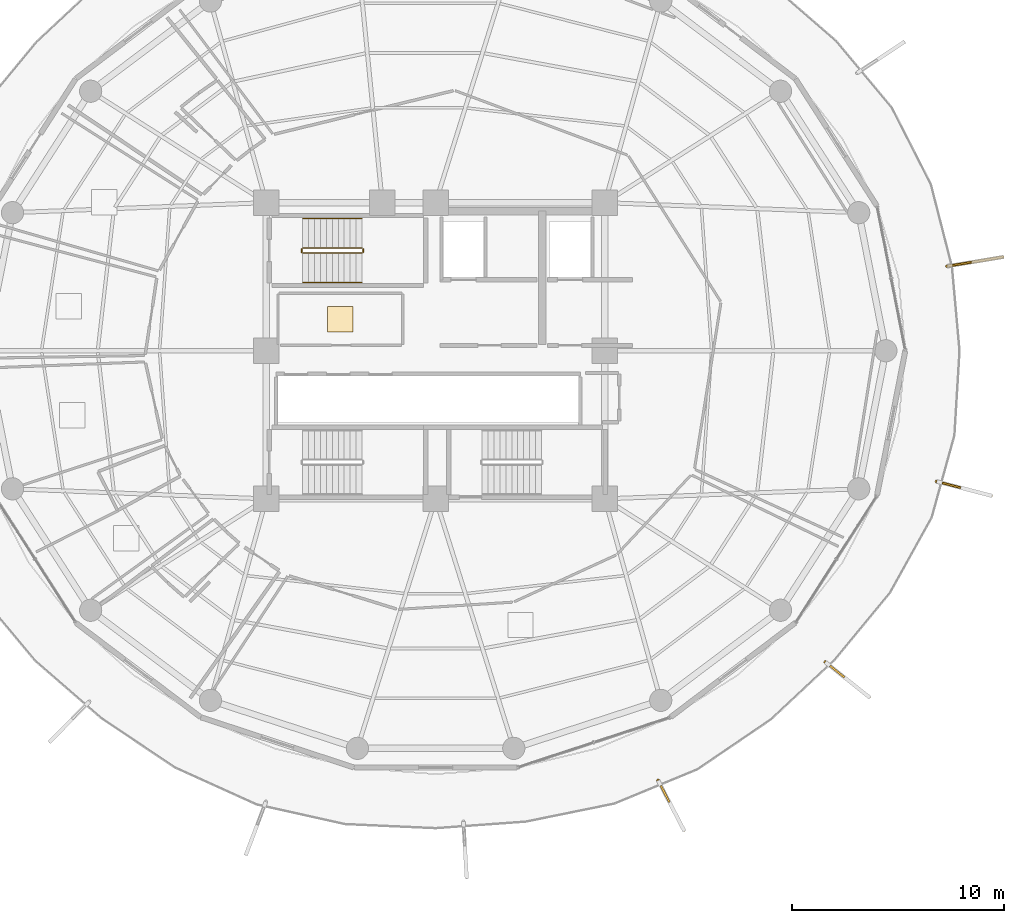
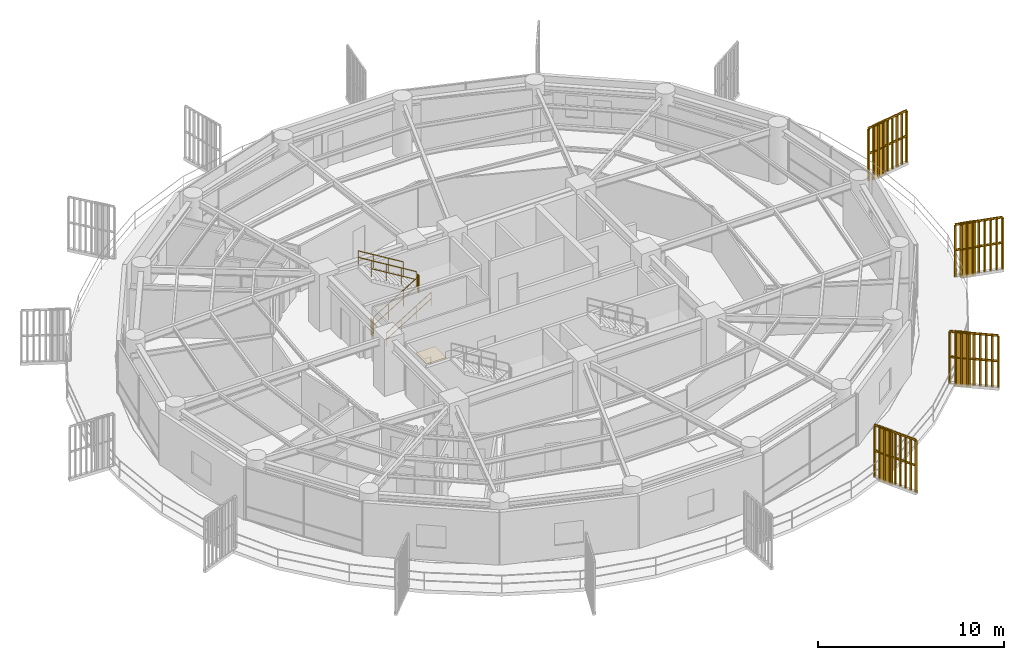
# One storey, part 29 of 30: 10 railings, 4 shading devices, 1 covering.
"""IFC4 building model written with IfcOpenShell, lengths in metres."""

from ifc_helpers import new_model, si_unit, direction, frame, origin, origin_2d, place, context, subcontext, project, spatial, polyline, rectangle, outline, extrude, source, transform, mapped, material, layer, layer_set, type_object, element, save


model = new_model("IFC4")

# Units and contexts
model_context = context("Model", 3, precision=1e-05, world=origin(), true_north=direction((0.0, 1.0)))
body_context = subcontext(model_context, "Body", "Model", "MODEL_VIEW")
ifc_project = project(units=[si_unit("LENGTHUNIT", "METRE"), si_unit("AREAUNIT", "SQUARE_METRE"), si_unit("VOLUMEUNIT", "CUBIC_METRE"), si_unit("PLANEANGLEUNIT", "RADIAN"), si_unit("MASSUNIT", "GRAM", prefix="KILO")], contexts=[model_context])

# Site, building, storey
site_placement = place(None, origin())
site = spatial("IfcSite", under=ifc_project, at=site_placement, CompositionType="ELEMENT")
building_placement = place(site_placement, origin())
building = spatial("IfcBuilding", under=site, at=building_placement, Name="Kelanora Arch Commons", CompositionType="ELEMENT")
storey_placement = place(building_placement, frame((0.0, 0.0, 208.199951171875)))
storey = spatial("IfcBuildingStorey", under=building, at=storey_placement, Name="L53", CompositionType="ELEMENT", Elevation=208.199951171875)

# Railings
ifc_material_1 = material(Name="Anodised bronze vertical shading fin rib assembly")
railing_type_1 = type_object("IfcRailingType", Name="RAIL-FIN-BRZ", PredefinedType="BALUSTRADE", material=ifc_material_1)
railing_1_placement = place(storey_placement, frame((92.417724609375, 43.28662109375, -0.02001953125)))
element("IfcRailing", 1, at=railing_1_placement, inside=storey, type_object=railing_type_1, Name="Sweeping Bronze Vertical Fin Blade L53-00", PredefinedType="BALUSTRADE", context=body_context, shape_type="SweptSolid", body=[
    extrude(outline(polyline([(0.06982421875, 0.0), (0.034912109375, 0.060546875), (-0.034912109375, 0.060546875), (-0.06982421875, 0.0), (-0.034912109375, -0.060546875), (0.034912109375, -0.060546875), (0.06982421875, 0.0)])), frame((0.0, 0.0, 3.419921875), z_axis=(0.781326823954, -0.624122098767, 0.0), x_axis=(0.624122098767, 0.781326823954, 0.0)), (0.0, 0.0, 1.0), 2.65087890625),
    extrude(outline(polyline([(0.06982421875, 0.0), (0.034912109375, 0.060546875), (-0.034912109375, 0.060546875), (-0.06982421875, 0.0), (-0.034912109375, -0.060546875), (0.034912109375, -0.060546875), (0.06982421875, 0.0)])), frame((0.0, 0.0, 1.7451171875), z_axis=(0.781326823954, -0.624122098767, 0.0), x_axis=(0.624122098767, 0.781326823954, 0.0)), (0.0, 0.0, 1.0), 2.65087890625),
    extrude(outline(polyline([(0.080078125, 0.0), (0.0400390625, 0.0693359375), (-0.0400390625, 0.0693359375), (-0.080078125, 0.0), (-0.0400390625, -0.0693359375), (0.0400390625, -0.0693359375), (0.080078125, 0.0)])), origin(), (0.0, 0.0, 1.0), 3.35009765625),
    extrude(outline(polyline([(0.080078125, 0.0), (0.0400390625, 0.0693359375), (-0.0400390625, 0.0693359375), (-0.080078125, 0.0), (-0.0400390625, -0.0693359375), (0.0400390625, -0.0693359375), (0.080078125, 0.0)])), frame((0.2587890625, -0.206787109375, 0.0)), (0.0, 0.0, 1.0), 3.35009765625),
    extrude(outline(polyline([(0.080078125, 0.0), (0.0400390625, 0.0693359375), (-0.0400390625, 0.0693359375), (-0.080078125, 0.0), (-0.0400390625, -0.0693359375), (0.0400390625, -0.0693359375), (0.080078125, 0.0)])), frame((0.517822265625, -0.41357421875, 0.0)), (0.0, 0.0, 1.0), 3.35009765625),
    extrude(outline(polyline([(0.080078125, 0.0), (0.0400390625, 0.0693359375), (-0.0400390625, 0.0693359375), (-0.080078125, 0.0), (-0.0400390625, -0.0693359375), (0.0400390625, -0.0693359375), (0.080078125, 0.0)])), frame((0.77685546875, -0.620361328125, 0.0)), (0.0, 0.0, 1.0), 3.35009765625),
    extrude(outline(polyline([(0.080078125, 0.0), (0.0400390625, 0.0693359375), (-0.0400390625, 0.0693359375), (-0.080078125, 0.0), (-0.0400390625, -0.0693359375), (0.0400390625, -0.0693359375), (0.080078125, 0.0)])), frame((1.03564453125, -0.8271484375, 0.0)), (0.0, 0.0, 1.0), 3.35009765625),
    extrude(outline(polyline([(0.080078125, 0.0), (0.0400390625, 0.0693359375), (-0.0400390625, 0.0693359375), (-0.080078125, 0.0), (-0.0400390625, -0.0693359375), (0.0400390625, -0.0693359375), (0.080078125, 0.0)])), frame((1.29443359375, -1.0341796875, 0.0)), (0.0, 0.0, 1.0), 3.35009765625),
    extrude(outline(polyline([(0.080078125, 0.0), (0.0400390625, 0.0693359375), (-0.0400390625, 0.0693359375), (-0.080078125, 0.0), (-0.0400390625, -0.0693359375), (0.0400390625, -0.0693359375), (0.080078125, 0.0)])), frame((1.553466796875, -1.240966796875, 0.0)), (0.0, 0.0, 1.0), 3.35009765625),
    extrude(outline(polyline([(0.080078125, 0.0), (0.0400390625, 0.0693359375), (-0.0400390625, 0.0693359375), (-0.080078125, 0.0), (-0.0400390625, -0.0693359375), (0.0400390625, -0.0693359375), (0.080078125, 0.0)])), frame((1.8125, -1.44775390625, 0.0)), (0.0, 0.0, 1.0), 3.35009765625),
    extrude(outline(polyline([(0.080078125, 0.0), (0.0400390625, 0.0693359375), (-0.0400390625, 0.0693359375), (-0.080078125, 0.0), (-0.0400390625, -0.0693359375), (0.0400390625, -0.0693359375), (0.080078125, 0.0)])), frame((2.0712890625, -1.654541015625, 0.0)), (0.0, 0.0, 1.0), 3.35009765625),
])
railing_2_placement = place(storey_placement, frame((97.682373046875, 51.822509765625, -0.02001953125)))
element("IfcRailing", 2, at=railing_2_placement, inside=storey, type_object=railing_type_1, Name="Sweeping Bronze Vertical Fin Blade L53-01", PredefinedType="BALUSTRADE", context=body_context, shape_type="SweptSolid", body=[
    extrude(outline(polyline([(0.06982421875, 0.0), (0.034912109375, 0.060546875), (-0.034912109375, 0.060546875), (-0.06982421875, 0.0), (-0.034912109375, -0.060546875), (0.034912109375, -0.060546875), (0.06982421875, 0.0)])), frame((0.0, 0.0, 3.419921875), z_axis=(0.967610425614, -0.252448141691, 0.0), x_axis=(0.252448141691, 0.967610425614, 0.0)), (0.0, 0.0, 1.0), 2.65087890625),
    extrude(outline(polyline([(0.06982421875, 0.0), (0.034912109375, 0.060546875), (-0.034912109375, 0.060546875), (-0.06982421875, 0.0), (-0.034912109375, -0.060546875), (0.034912109375, -0.060546875), (0.06982421875, 0.0)])), frame((0.0, 0.0, 1.7451171875), z_axis=(0.967610425614, -0.252448141691, 0.0), x_axis=(0.252448141691, 0.967610425614, 0.0)), (0.0, 0.0, 1.0), 2.65087890625),
    extrude(outline(polyline([(0.080078125, 0.0), (0.0400390625, 0.0693359375), (-0.0400390625, 0.0693359375), (-0.080078125, 0.0), (-0.0400390625, -0.0693359375), (0.0400390625, -0.0693359375), (0.080078125, 0.0)])), origin(), (0.0, 0.0, 1.0), 3.35009765625),
    extrude(outline(polyline([(0.080078125, 0.0), (0.0400390625, 0.0693359375), (-0.0400390625, 0.0693359375), (-0.080078125, 0.0), (-0.0400390625, -0.0693359375), (0.0400390625, -0.0693359375), (0.080078125, 0.0)])), frame((0.320556640625, -0.083740234375, 0.0)), (0.0, 0.0, 1.0), 3.35009765625),
    extrude(outline(polyline([(0.080078125, 0.0), (0.0400390625, 0.0693359375), (-0.0400390625, 0.0693359375), (-0.080078125, 0.0), (-0.0400390625, -0.0693359375), (0.0400390625, -0.0693359375), (0.080078125, 0.0)])), frame((0.64111328125, -0.167236328125, 0.0)), (0.0, 0.0, 1.0), 3.35009765625),
    extrude(outline(polyline([(0.080078125, 0.0), (0.0400390625, 0.0693359375), (-0.0400390625, 0.0693359375), (-0.080078125, 0.0), (-0.0400390625, -0.0693359375), (0.0400390625, -0.0693359375), (0.080078125, 0.0)])), frame((0.9619140625, -0.2509765625, 0.0)), (0.0, 0.0, 1.0), 3.35009765625),
    extrude(outline(polyline([(0.080078125, 0.0), (0.0400390625, 0.0693359375), (-0.0400390625, 0.0693359375), (-0.080078125, 0.0), (-0.0400390625, -0.0693359375), (0.0400390625, -0.0693359375), (0.080078125, 0.0)])), frame((1.282470703125, -0.33447265625, 0.0)), (0.0, 0.0, 1.0), 3.35009765625),
    extrude(outline(polyline([(0.080078125, 0.0), (0.0400390625, 0.0693359375), (-0.0400390625, 0.0693359375), (-0.080078125, 0.0), (-0.0400390625, -0.0693359375), (0.0400390625, -0.0693359375), (0.080078125, 0.0)])), frame((1.60302734375, -0.418212890625, 0.0)), (0.0, 0.0, 1.0), 3.35009765625),
    extrude(outline(polyline([(0.080078125, 0.0), (0.0400390625, 0.0693359375), (-0.0400390625, 0.0693359375), (-0.080078125, 0.0), (-0.0400390625, -0.0693359375), (0.0400390625, -0.0693359375), (0.080078125, 0.0)])), frame((1.923828125, -0.501953125, 0.0)), (0.0, 0.0, 1.0), 3.35009765625),
    extrude(outline(polyline([(0.080078125, 0.0), (0.0400390625, 0.0693359375), (-0.0400390625, 0.0693359375), (-0.080078125, 0.0), (-0.0400390625, -0.0693359375), (0.0400390625, -0.0693359375), (0.080078125, 0.0)])), frame((2.244384765625, -0.58544921875, 0.0)), (0.0, 0.0, 1.0), 3.35009765625),
    extrude(outline(polyline([(0.080078125, 0.0), (0.0400390625, 0.0693359375), (-0.0400390625, 0.0693359375), (-0.080078125, 0.0), (-0.0400390625, -0.0693359375), (0.0400390625, -0.0693359375), (0.080078125, 0.0)])), frame((2.56494140625, -0.669189453125, 0.0)), (0.0, 0.0, 1.0), 3.35009765625),
])
railing_3_placement = place(storey_placement, frame((98.16796875, 61.9921875, -0.02001953125)))
element("IfcRailing", 3, at=railing_3_placement, inside=storey, type_object=railing_type_1, Name="Sweeping Bronze Vertical Fin Blade L53-02", PredefinedType="BALUSTRADE", context=body_context, shape_type="SweptSolid", body=[
    extrude(outline(polyline([(0.06982421875, 0.0), (0.034912109375, 0.060546875), (-0.034912109375, 0.060546875), (-0.06982421875, 0.0), (-0.034912109375, -0.060546875), (0.034912109375, -0.060546875), (0.06982421875, 0.0)])), frame((0.0, 0.0, 3.419921875), z_axis=(0.986621983002, 0.163024730201, 0.0), x_axis=(-0.163024730201, 0.986621983002, 0.0)), (0.0, 0.0, 1.0), 2.650634765625),
    extrude(outline(polyline([(0.06982421875, 0.0), (0.034912109375, 0.060546875), (-0.034912109375, 0.060546875), (-0.06982421875, 0.0), (-0.034912109375, -0.060546875), (0.034912109375, -0.060546875), (0.06982421875, 0.0)])), frame((0.0, 0.0, 1.7451171875), z_axis=(0.986621983002, 0.163024730201, 0.0), x_axis=(-0.163024730201, 0.986621983002, 0.0)), (0.0, 0.0, 1.0), 2.650634765625),
    extrude(outline(polyline([(0.080078125, 0.0), (0.0400390625, 0.0693359375), (-0.0400390625, 0.0693359375), (-0.080078125, 0.0), (-0.0400390625, -0.0693359375), (0.0400390625, -0.0693359375), (0.080078125, 0.0)])), origin(), (0.0, 0.0, 1.0), 3.35009765625),
    extrude(outline(polyline([(0.080078125, 0.0), (0.0400390625, 0.0693359375), (-0.0400390625, 0.0693359375), (-0.080078125, 0.0), (-0.0400390625, -0.0693359375), (0.0400390625, -0.0693359375), (0.080078125, 0.0)])), frame((0.326904296875, 0.053955078125, 0.0)), (0.0, 0.0, 1.0), 3.35009765625),
    extrude(outline(polyline([(0.080078125, 0.0), (0.0400390625, 0.0693359375), (-0.0400390625, 0.0693359375), (-0.080078125, 0.0), (-0.0400390625, -0.0693359375), (0.0400390625, -0.0693359375), (0.080078125, 0.0)])), frame((0.65380859375, 0.10791015625, 0.0)), (0.0, 0.0, 1.0), 3.35009765625),
    extrude(outline(polyline([(0.080078125, 0.0), (0.0400390625, 0.0693359375), (-0.0400390625, 0.0693359375), (-0.080078125, 0.0), (-0.0400390625, -0.0693359375), (0.0400390625, -0.0693359375), (0.080078125, 0.0)])), frame((0.980712890625, 0.162109375, 0.0)), (0.0, 0.0, 1.0), 3.35009765625),
    extrude(outline(polyline([(0.080078125, 0.0), (0.0400390625, 0.0693359375), (-0.0400390625, 0.0693359375), (-0.080078125, 0.0), (-0.0400390625, -0.0693359375), (0.0400390625, -0.0693359375), (0.080078125, 0.0)])), frame((1.3076171875, 0.216064453125, 0.0)), (0.0, 0.0, 1.0), 3.35009765625),
    extrude(outline(polyline([(0.080078125, 0.0), (0.0400390625, 0.0693359375), (-0.0400390625, 0.0693359375), (-0.080078125, 0.0), (-0.0400390625, -0.0693359375), (0.0400390625, -0.0693359375), (0.080078125, 0.0)])), frame((1.634521484375, 0.27001953125, 0.0)), (0.0, 0.0, 1.0), 3.35009765625),
    extrude(outline(polyline([(0.080078125, 0.0), (0.0400390625, 0.0693359375), (-0.0400390625, 0.0693359375), (-0.080078125, 0.0), (-0.0400390625, -0.0693359375), (0.0400390625, -0.0693359375), (0.080078125, 0.0)])), frame((1.96142578125, 0.32421875, 0.0)), (0.0, 0.0, 1.0), 3.35009765625),
    extrude(outline(polyline([(0.080078125, 0.0), (0.0400390625, 0.0693359375), (-0.0400390625, 0.0693359375), (-0.080078125, 0.0), (-0.0400390625, -0.0693359375), (0.0400390625, -0.0693359375), (0.080078125, 0.0)])), frame((2.288330078125, 0.378173828125, 0.0)), (0.0, 0.0, 1.0), 3.35009765625),
    extrude(outline(polyline([(0.080078125, 0.0), (0.0400390625, 0.0693359375), (-0.0400390625, 0.0693359375), (-0.080078125, 0.0), (-0.0400390625, -0.0693359375), (0.0400390625, -0.0693359375), (0.080078125, 0.0)])), frame((2.615234375, 0.43212890625, 0.0)), (0.0, 0.0, 1.0), 3.35009765625),
])
railing_4_placement = place(storey_placement, frame((84.516357421875, 37.694580078125, -0.02001953125)))
element("IfcRailing", 4, at=railing_4_placement, inside=storey, type_object=railing_type_1, Name="Sweeping Bronze Vertical Fin Blade L53-14", PredefinedType="BALUSTRADE", context=body_context, shape_type="SweptSolid", body=[
    extrude(outline(polyline([(0.06982421875, 0.0), (0.034912109375, 0.060546875), (-0.034912109375, 0.060546875), (-0.06982421875, 0.0), (-0.034912109375, -0.060546875), (0.034912109375, -0.060546875), (0.06982421875, 0.0)])), frame((0.0, 0.0, 3.419921875), z_axis=(0.45987888903, -0.887981648135, 0.0), x_axis=(0.887981648135, 0.45987888903, 0.0)), (0.0, 0.0, 1.0), 2.650634765625),
    extrude(outline(polyline([(0.06982421875, 0.0), (0.034912109375, 0.060546875), (-0.034912109375, 0.060546875), (-0.06982421875, 0.0), (-0.034912109375, -0.060546875), (0.034912109375, -0.060546875), (0.06982421875, 0.0)])), frame((0.0, 0.0, 1.7451171875), z_axis=(0.45987888903, -0.887981648135, 0.0), x_axis=(0.887981648135, 0.45987888903, 0.0)), (0.0, 0.0, 1.0), 2.650634765625),
    extrude(outline(polyline([(0.080078125, 0.0), (0.0400390625, 0.0693359375), (-0.0400390625, 0.0693359375), (-0.080078125, 0.0), (-0.0400390625, -0.0693359375), (0.0400390625, -0.0693359375), (0.080078125, 0.0)])), origin(), (0.0, 0.0, 1.0), 3.35009765625),
    extrude(outline(polyline([(0.080078125, 0.0), (0.0400390625, 0.0693359375), (-0.0400390625, 0.0693359375), (-0.080078125, 0.0), (-0.0400390625, -0.0693359375), (0.0400390625, -0.0693359375), (0.080078125, 0.0)])), frame((0.15234375, -0.294189453125, 0.0)), (0.0, 0.0, 1.0), 3.35009765625),
    extrude(outline(polyline([(0.080078125, 0.0), (0.0400390625, 0.0693359375), (-0.0400390625, 0.0693359375), (-0.080078125, 0.0), (-0.0400390625, -0.0693359375), (0.0400390625, -0.0693359375), (0.080078125, 0.0)])), frame((0.3046875, -0.58837890625, 0.0)), (0.0, 0.0, 1.0), 3.35009765625),
    extrude(outline(polyline([(0.080078125, 0.0), (0.0400390625, 0.0693359375), (-0.0400390625, 0.0693359375), (-0.080078125, 0.0), (-0.0400390625, -0.0693359375), (0.0400390625, -0.0693359375), (0.080078125, 0.0)])), frame((0.45703125, -0.882568359375, 0.0)), (0.0, 0.0, 1.0), 3.35009765625),
    extrude(outline(polyline([(0.080078125, 0.0), (0.0400390625, 0.0693359375), (-0.0400390625, 0.0693359375), (-0.080078125, 0.0), (-0.0400390625, -0.0693359375), (0.0400390625, -0.0693359375), (0.080078125, 0.0)])), frame((0.609375, -1.1767578125, 0.0)), (0.0, 0.0, 1.0), 3.35009765625),
    extrude(outline(polyline([(0.080078125, 0.0), (0.0400390625, 0.0693359375), (-0.0400390625, 0.0693359375), (-0.080078125, 0.0), (-0.0400390625, -0.0693359375), (0.0400390625, -0.0693359375), (0.080078125, 0.0)])), frame((0.761962890625, -1.47119140625, 0.0)), (0.0, 0.0, 1.0), 3.35009765625),
    extrude(outline(polyline([(0.080078125, 0.0), (0.0400390625, 0.0693359375), (-0.0400390625, 0.0693359375), (-0.080078125, 0.0), (-0.0400390625, -0.0693359375), (0.0400390625, -0.0693359375), (0.080078125, 0.0)])), frame((0.914306640625, -1.765380859375, 0.0)), (0.0, 0.0, 1.0), 3.35009765625),
    extrude(outline(polyline([(0.080078125, 0.0), (0.0400390625, 0.0693359375), (-0.0400390625, 0.0693359375), (-0.080078125, 0.0), (-0.0400390625, -0.0693359375), (0.0400390625, -0.0693359375), (0.080078125, 0.0)])), frame((1.066650390625, -2.0595703125, 0.0)), (0.0, 0.0, 1.0), 3.35009765625),
    extrude(outline(polyline([(0.080078125, 0.0), (0.0400390625, 0.0693359375), (-0.0400390625, 0.0693359375), (-0.080078125, 0.0), (-0.0400390625, -0.0693359375), (0.0400390625, -0.0693359375), (0.080078125, 0.0)])), frame((1.218994140625, -2.353759765625, 0.0)), (0.0, 0.0, 1.0), 3.35009765625),
])
ifc_material_2 = material(Name="Painted steel stair well guard", Category="steel")
railing_type_2 = type_object("IfcRailingType", Name="RAIL-STAIR-GRD", PredefinedType="GUARDRAIL", material=ifc_material_2)
railing_5_placement = place(storey_placement, frame((67.719970703125, 62.610107421875, 0.17041015625)))
element("IfcRailing", 5, at=railing_5_placement, inside=storey, type_object=railing_type_2, Name="L53 ST-T1 stair guard 1", PredefinedType="GUARDRAIL", context=body_context, shape_type="SweptSolid", body=[
    extrude(outline(polyline([(0.02392578125, 0.0), (0.011962890625, 0.020751953125), (-0.011962890625, 0.020751953125), (-0.02392578125, 0.0), (-0.011962890625, -0.020751953125), (0.011962890625, -0.020751953125), (0.02392578125, 0.0)])), frame((0.0, 0.0, 1.076171875), z_axis=(0.854169791009, 0.0, 0.51999420009), x_axis=(0.0, 1.0, 0.0)), (0.0, 0.0, 1.0), 3.278076171875),
    extrude(outline(polyline([(0.02392578125, 0.0), (0.011962890625, 0.020751953125), (-0.011962890625, 0.020751953125), (-0.02392578125, 0.0), (-0.011962890625, -0.020751953125), (0.011962890625, -0.020751953125), (0.02392578125, 0.0)])), frame((0.0, 0.0, 0.550048828125), z_axis=(0.854169791009, 0.0, 0.51999420009), x_axis=(0.0, 1.0, 0.0)), (0.0, 0.0, 1.0), 3.278076171875),
    extrude(outline(polyline([(0.02099609375, 0.0), (0.010498046875, 0.01806640625), (-0.010498046875, 0.01806640625), (-0.02099609375, 0.0), (-0.010498046875, -0.01806640625), (0.010498046875, -0.01806640625), (0.02099609375, 0.0)])), origin(), (0.0, 0.0, 1.0), 1.052001953125),
    extrude(outline(polyline([(0.02099609375, 0.0), (0.010498046875, 0.01806640625), (-0.010498046875, 0.01806640625), (-0.02099609375, 0.0), (-0.010498046875, -0.01806640625), (0.010498046875, -0.01806640625), (0.02099609375, 0.0)])), frame((0.933349609375, 0.0, 0.568115234375)), (0.0, 0.0, 1.0), 1.052001953125),
    extrude(outline(polyline([(0.02099609375, 0.0), (0.010498046875, 0.01806640625), (-0.010498046875, 0.01806640625), (-0.02099609375, 0.0), (-0.010498046875, -0.01806640625), (0.010498046875, -0.01806640625), (0.02099609375, 0.0)])), frame((1.86669921875, 0.0, 1.136474609375)), (0.0, 0.0, 1.0), 1.052001953125),
    extrude(outline(polyline([(0.02099609375, 0.0), (0.010498046875, 0.01806640625), (-0.010498046875, 0.01806640625), (-0.02099609375, 0.0), (-0.010498046875, -0.01806640625), (0.010498046875, -0.01806640625), (0.02099609375, 0.0)])), frame((2.800048828125, 0.0, 1.70458984375)), (0.0, 0.0, 1.0), 1.052001953125),
])
railing_6_placement = place(storey_placement, frame((70.570068359375, 62.659912109375, 1.875)))
element("IfcRailing", 6, at=railing_6_placement, inside=storey, type_object=railing_type_2, Name="L53 ST-T1 stair guard 2", PredefinedType="GUARDRAIL", context=body_context, shape_type="SweptSolid", body=[
    extrude(outline(polyline([(0.02392578125, 0.0), (0.011962890625, 0.020751953125), (-0.011962890625, 0.020751953125), (-0.02392578125, 0.0), (-0.011962890625, -0.020751953125), (0.011962890625, -0.020751953125), (0.02392578125, 0.0)])), frame((0.0, 0.0, 1.076171875), z_axis=(0.0, 1.0, 0.0), x_axis=(-1.0, 0.0, 0.0)), (0.0, 0.0, 1.0), 0.150146484375),
    extrude(outline(polyline([(0.02392578125, 0.0), (0.011962890625, 0.020751953125), (-0.011962890625, 0.020751953125), (-0.02392578125, 0.0), (-0.011962890625, -0.020751953125), (0.011962890625, -0.020751953125), (0.02392578125, 0.0)])), frame((0.0, 0.0, 0.550048828125), z_axis=(0.0, 1.0, 0.0), x_axis=(-1.0, 0.0, 0.0)), (0.0, 0.0, 1.0), 0.150146484375),
    extrude(outline(polyline([(0.02099609375, 0.0), (0.010498046875, 0.01806640625), (-0.010498046875, 0.01806640625), (-0.02099609375, 0.0), (-0.010498046875, -0.01806640625), (0.010498046875, -0.01806640625), (0.02099609375, 0.0)])), origin(), (0.0, 0.0, 1.0), 1.052001953125),
    extrude(outline(polyline([(0.02099609375, 0.0), (0.010498046875, 0.01806640625), (-0.010498046875, 0.01806640625), (-0.02099609375, 0.0), (-0.010498046875, -0.01806640625), (0.010498046875, -0.01806640625), (0.02099609375, 0.0)])), frame((0.0, 0.150146484375, 0.0)), (0.0, 0.0, 1.0), 1.052001953125),
])
railing_7_placement = place(storey_placement, frame((70.52001953125, 62.860107421875, 2.04541015625)))
element("IfcRailing", 7, at=railing_7_placement, inside=storey, type_object=railing_type_2, Name="L53 ST-T1 stair guard 3", PredefinedType="GUARDRAIL", context=body_context, shape_type="SweptSolid", body=[
    extrude(outline(polyline([(0.02392578125, 0.0), (0.011962890625, 0.020751953125), (-0.011962890625, 0.020751953125), (-0.02392578125, 0.0), (-0.011962890625, -0.020751953125), (0.011962890625, -0.020751953125), (0.02392578125, 0.0)])), frame((0.0, 0.0, 1.076171875), z_axis=(-0.854169791009, 0.0, 0.51999420009), x_axis=(0.0, -1.0, 0.0)), (0.0, 0.0, 1.0), 3.278076171875),
    extrude(outline(polyline([(0.02392578125, 0.0), (0.011962890625, 0.020751953125), (-0.011962890625, 0.020751953125), (-0.02392578125, 0.0), (-0.011962890625, -0.020751953125), (0.011962890625, -0.020751953125), (0.02392578125, 0.0)])), frame((0.0, 0.0, 0.550048828125), z_axis=(-0.854169791009, 0.0, 0.51999420009), x_axis=(0.0, -1.0, 0.0)), (0.0, 0.0, 1.0), 3.278076171875),
    extrude(outline(polyline([(0.02099609375, 0.0), (0.010498046875, 0.01806640625), (-0.010498046875, 0.01806640625), (-0.02099609375, 0.0), (-0.010498046875, -0.01806640625), (0.010498046875, -0.01806640625), (0.02099609375, 0.0)])), origin(), (0.0, 0.0, 1.0), 1.052001953125),
    extrude(outline(polyline([(0.02099609375, 0.0), (0.010498046875, 0.01806640625), (-0.010498046875, 0.01806640625), (-0.02099609375, 0.0), (-0.010498046875, -0.01806640625), (0.010498046875, -0.01806640625), (0.02099609375, 0.0)])), frame((-0.933349609375, 0.0, 0.568115234375)), (0.0, 0.0, 1.0), 1.052001953125),
    extrude(outline(polyline([(0.02099609375, 0.0), (0.010498046875, 0.01806640625), (-0.010498046875, 0.01806640625), (-0.02099609375, 0.0), (-0.010498046875, -0.01806640625), (0.010498046875, -0.01806640625), (0.02099609375, 0.0)])), frame((-1.86669921875, 0.0, 1.136474609375)), (0.0, 0.0, 1.0), 1.052001953125),
    extrude(outline(polyline([(0.02099609375, 0.0), (0.010498046875, 0.01806640625), (-0.010498046875, 0.01806640625), (-0.02099609375, 0.0), (-0.010498046875, -0.01806640625), (0.010498046875, -0.01806640625), (0.02099609375, 0.0)])), frame((-2.800048828125, 0.0, 1.70458984375)), (0.0, 0.0, 1.0), 1.052001953125),
])
railing_8_placement = place(storey_placement, frame((67.669921875, 62.659912109375, 0.0)))
element("IfcRailing", 8, at=railing_8_placement, inside=storey, type_object=railing_type_2, Name="L53 ST-T1 stair guard 4", PredefinedType="GUARDRAIL", context=body_context, shape_type="SweptSolid", body=[
    extrude(outline(polyline([(0.02392578125, 0.0), (0.011962890625, 0.020751953125), (-0.011962890625, 0.020751953125), (-0.02392578125, 0.0), (-0.011962890625, -0.020751953125), (0.011962890625, -0.020751953125), (0.02392578125, 0.0)])), frame((0.0, 0.0, 1.076171875), z_axis=(0.0, 1.0, 0.0), x_axis=(-1.0, 0.0, 0.0)), (0.0, 0.0, 1.0), 0.150146484375),
    extrude(outline(polyline([(0.02392578125, 0.0), (0.011962890625, 0.020751953125), (-0.011962890625, 0.020751953125), (-0.02392578125, 0.0), (-0.011962890625, -0.020751953125), (0.011962890625, -0.020751953125), (0.02392578125, 0.0)])), frame((0.0, 0.0, 0.550048828125), z_axis=(0.0, 1.0, 0.0), x_axis=(-1.0, 0.0, 0.0)), (0.0, 0.0, 1.0), 0.150146484375),
    extrude(outline(polyline([(0.02099609375, 0.0), (0.010498046875, 0.01806640625), (-0.010498046875, 0.01806640625), (-0.02099609375, 0.0), (-0.010498046875, -0.01806640625), (0.010498046875, -0.01806640625), (0.02099609375, 0.0)])), origin(), (0.0, 0.0, 1.0), 1.052001953125),
    extrude(outline(polyline([(0.02099609375, 0.0), (0.010498046875, 0.01806640625), (-0.010498046875, 0.01806640625), (-0.02099609375, 0.0), (-0.010498046875, -0.01806640625), (0.010498046875, -0.01806640625), (0.02099609375, 0.0)])), frame((0.0, 0.150146484375, 0.0)), (0.0, 0.0, 1.0), 1.052001953125),
])
ifc_material_3 = material(Name="Brushed stainless steel stair handrail", Category="steel")
railing_type_3 = type_object("IfcRailingType", Name="RAIL-STAIR-HND", PredefinedType="HANDRAIL", material=ifc_material_3)
railing_9_placement = place(storey_placement, frame((67.719970703125, 61.22998046875, 0.17041015625)))
element("IfcRailing", 9, at=railing_9_placement, inside=storey, type_object=railing_type_3, Name="L53 ST-T1 stair handrail 1", PredefinedType="HANDRAIL", context=body_context, shape_type="SweptSolid", body=[
    extrude(outline(polyline([(0.02392578125, 0.0), (0.011962890625, 0.020751953125), (-0.011962890625, 0.020751953125), (-0.02392578125, 0.0), (-0.011962890625, -0.020751953125), (0.011962890625, -0.020751953125), (0.02392578125, 0.0)])), frame((0.0, 0.0, 0.8759765625), z_axis=(0.854169791009, 0.0, 0.51999420009), x_axis=(0.0, 1.0, 0.0)), (0.0, 0.0, 1.0), 3.278076171875),
    extrude(outline(polyline([(0.02392578125, 0.0), (0.011962890625, 0.020751953125), (-0.011962890625, 0.020751953125), (-0.02392578125, 0.0), (-0.011962890625, -0.020751953125), (0.011962890625, -0.020751953125), (0.02392578125, 0.0)])), frame((0.0, 0.0, 0.449951171875), z_axis=(0.854169791009, 0.0, 0.51999420009), x_axis=(0.0, 1.0, 0.0)), (0.0, 0.0, 1.0), 3.278076171875),
    extrude(outline(polyline([(0.02099609375, 0.0), (0.010498046875, 0.01806640625), (-0.010498046875, 0.01806640625), (-0.02099609375, 0.0), (-0.010498046875, -0.01806640625), (0.010498046875, -0.01806640625), (0.02099609375, 0.0)])), origin(), (0.0, 0.0, 1.0), 0.851806640625),
    extrude(outline(polyline([(0.02099609375, 0.0), (0.010498046875, 0.01806640625), (-0.010498046875, 0.01806640625), (-0.02099609375, 0.0), (-0.010498046875, -0.01806640625), (0.010498046875, -0.01806640625), (0.02099609375, 0.0)])), frame((0.933349609375, 0.0, 0.568115234375)), (0.0, 0.0, 1.0), 0.851806640625),
    extrude(outline(polyline([(0.02099609375, 0.0), (0.010498046875, 0.01806640625), (-0.010498046875, 0.01806640625), (-0.02099609375, 0.0), (-0.010498046875, -0.01806640625), (0.010498046875, -0.01806640625), (0.02099609375, 0.0)])), frame((1.86669921875, 0.0, 1.136474609375)), (0.0, 0.0, 1.0), 0.851806640625),
    extrude(outline(polyline([(0.02099609375, 0.0), (0.010498046875, 0.01806640625), (-0.010498046875, 0.01806640625), (-0.02099609375, 0.0), (-0.010498046875, -0.01806640625), (0.010498046875, -0.01806640625), (0.02099609375, 0.0)])), frame((2.800048828125, 0.0, 1.70458984375)), (0.0, 0.0, 1.0), 0.851806640625),
])
railing_10_placement = place(storey_placement, frame((70.52001953125, 64.239990234375, 2.04541015625)))
element("IfcRailing", 10, at=railing_10_placement, inside=storey, type_object=railing_type_3, Name="L53 ST-T1 stair handrail 2", PredefinedType="HANDRAIL", context=body_context, shape_type="SweptSolid", body=[
    extrude(outline(polyline([(0.02392578125, 0.0), (0.011962890625, 0.020751953125), (-0.011962890625, 0.020751953125), (-0.02392578125, 0.0), (-0.011962890625, -0.020751953125), (0.011962890625, -0.020751953125), (0.02392578125, 0.0)])), frame((0.0, 0.0, 0.8759765625), z_axis=(-0.854169791009, 0.0, 0.51999420009), x_axis=(0.0, -1.0, 0.0)), (0.0, 0.0, 1.0), 3.278076171875),
    extrude(outline(polyline([(0.02392578125, 0.0), (0.011962890625, 0.020751953125), (-0.011962890625, 0.020751953125), (-0.02392578125, 0.0), (-0.011962890625, -0.020751953125), (0.011962890625, -0.020751953125), (0.02392578125, 0.0)])), frame((0.0, 0.0, 0.449951171875), z_axis=(-0.854169791009, 0.0, 0.51999420009), x_axis=(0.0, -1.0, 0.0)), (0.0, 0.0, 1.0), 3.278076171875),
    extrude(outline(polyline([(0.02099609375, 0.0), (0.010498046875, 0.01806640625), (-0.010498046875, 0.01806640625), (-0.02099609375, 0.0), (-0.010498046875, -0.01806640625), (0.010498046875, -0.01806640625), (0.02099609375, 0.0)])), origin(), (0.0, 0.0, 1.0), 0.851806640625),
    extrude(outline(polyline([(0.02099609375, 0.0), (0.010498046875, 0.01806640625), (-0.010498046875, 0.01806640625), (-0.02099609375, 0.0), (-0.010498046875, -0.01806640625), (0.010498046875, -0.01806640625), (0.02099609375, 0.0)])), frame((-0.933349609375, 0.0, 0.568115234375)), (0.0, 0.0, 1.0), 0.851806640625),
    extrude(outline(polyline([(0.02099609375, 0.0), (0.010498046875, 0.01806640625), (-0.010498046875, 0.01806640625), (-0.02099609375, 0.0), (-0.010498046875, -0.01806640625), (0.010498046875, -0.01806640625), (0.02099609375, 0.0)])), frame((-1.86669921875, 0.0, 1.136474609375)), (0.0, 0.0, 1.0), 0.851806640625),
    extrude(outline(polyline([(0.02099609375, 0.0), (0.010498046875, 0.01806640625), (-0.010498046875, 0.01806640625), (-0.02099609375, 0.0), (-0.010498046875, -0.01806640625), (0.010498046875, -0.01806640625), (0.02099609375, 0.0)])), frame((-2.800048828125, 0.0, 1.70458984375)), (0.0, 0.0, 1.0), 0.851806640625),
])

# Shading devices
ifc_material_4 = material(Name="Terracotta ceramic-clad extruded aluminium fin", Category="masonry")
shading_device_type = type_object("IfcShadingDeviceType", Name="SHD-FIN-FLARE", PredefinedType="USERDEFINED", material=ifc_material_4)
shared_shape_1 = source(origin(), body_context, "Body", "SweptSolid", [
    extrude(rectangle(XDim=0.8798828125, YDim=0.090087890625, at=origin_2d()), origin(), (0.0, 0.0, 1.0), 3.610107421875),
])
for number, where, z_axis, x_axis, name in (
    (11, (92.98046875, 42.83740234375, -0.14013671875), (0.0, 0.0, 1.0), (0.781302649748, -0.624152360803, 0.0), "Sweeping Terracotta Fin L53-00"),
    (12, (98.379150390625, 51.640625, -0.14013671875), (0.0, 0.0, 1.0), (0.967621122723, -0.252407137104, 0.0), "Sweeping Terracotta Fin L53-01"),
    (13, (98.878173828125, 62.109619140625, -0.14013671875), (0.0, 0.0, 1.0), (0.986629113016, 0.162981573648, 0.0), "Sweeping Terracotta Fin L53-02"),
    (14, (84.847412109375, 37.05517578125, -0.14013671875), (0.0, 0.0, 1.0), (0.459889850721, -0.887975971074, 0.0), "Sweeping Terracotta Fin L53-14"),
):
    element("IfcShadingDevice", number, at=place(storey_placement, frame(where, z_axis=z_axis, x_axis=x_axis)), inside=storey, type_object=shading_device_type, Name=name, ObjectType="FIN", PredefinedType="USERDEFINED", context=body_context, shape_type="MappedRepresentation", body=[
        mapped(shared_shape_1, transform((0.0, 0.0, 0.0), scale=1.0)),
    ])

# Covering
ifc_material_5 = material(Name="Polished local granite terrazzo flooring", Category="masonry")
ifc_layer = layer(ifc_material_5, 0.030029296875)
ifc_layer_set = layer_set([ifc_layer], Name="Polished local granite terrazzo flooring")
covering_type = type_object("IfcCoveringType", Name="COV-FLR-TER", PredefinedType="FLOORING", material=ifc_layer_set)
shared_shape_2 = source(origin(), body_context, "Body", "SweptSolid", [
    extrude(rectangle(XDim=1.199951171875, YDim=1.199951171875, at=origin_2d()), origin(), (0.0, 0.0, 1.0), 0.030029296875),
])
covering_placement = place(storey_placement, frame((69.5, 59.485107421875, 0.0), z_axis=(0.0, 0.0, 1.0), x_axis=(1.0, 0.0, 0.0)))
element("IfcCovering", 15, at=covering_placement, inside=storey, type_object=covering_type, Name="Reclaimed Core Study Pod Lounge L53 Terrazzo Finish", PredefinedType="FLOORING", context=body_context, shape_type="MappedRepresentation", body=[
    mapped(shared_shape_2, transform((0.0, 0.0, 0.0), scale=1.0)),
])

save(model, "model.ifc")
